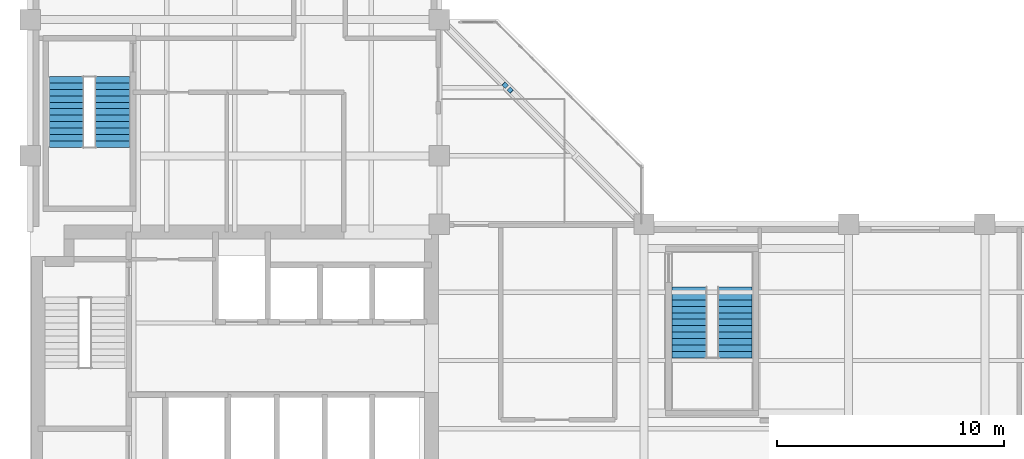
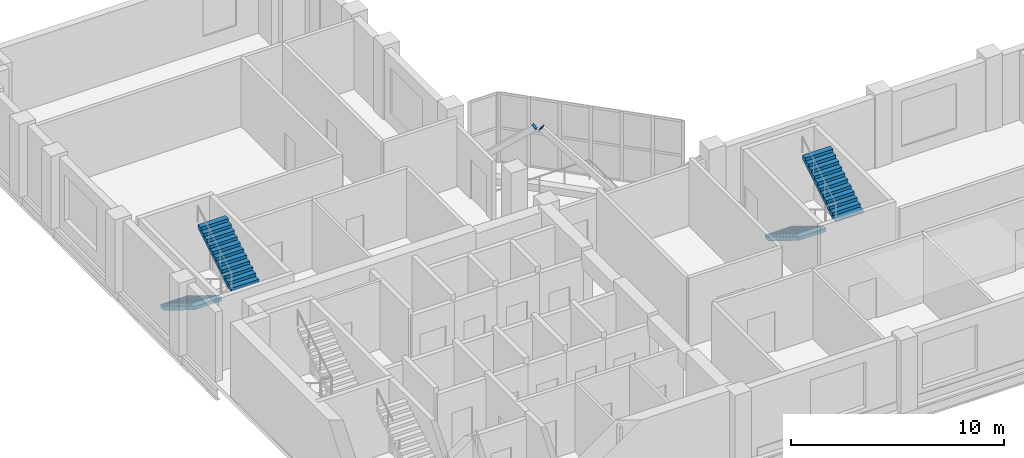
# One storey, part 8 of 9: 4 stair flights, 2 discrete accessories, 2 elements without a shape of their own.
"""IFC4 building model written with IfcOpenShell, lengths in metres."""

from ifc_helpers import new_model, si_unit, direction, frame, origin, origin_2d, place, context, subcontext, project, spatial, polyline, rectangle, outline, extrude, material, material_profile, profile_set, type_object, element, aggregate, save


model = new_model("IFC4")

# Units and contexts
model_context = context("Model", 3, precision=1e-05, world=origin(), true_north=direction((0.0, 1.0)))
body_context = subcontext(model_context, "Body", "Model", "MODEL_VIEW")
ifc_project = project(units=[si_unit("LENGTHUNIT", "METRE"), si_unit("AREAUNIT", "SQUARE_METRE"), si_unit("VOLUMEUNIT", "CUBIC_METRE"), si_unit("PLANEANGLEUNIT", "RADIAN"), si_unit("MASSUNIT", "GRAM", prefix="KILO")], contexts=[model_context])

# Site, building, storey
site_placement = place(None, origin())
site = spatial("IfcSite", under=ifc_project, at=site_placement, CompositionType="ELEMENT")
building_placement = place(site_placement, origin())
building = spatial("IfcBuilding", under=site, at=building_placement, Name="Mawjdan Bourse Tower", CompositionType="ELEMENT")
storey_placement = place(building_placement, frame((0.0, 0.0, 160.199951171875)))
storey = spatial("IfcBuildingStorey", under=building, at=storey_placement, Name="L38", CompositionType="ELEMENT", Elevation=160.199951171875)

# Stair, stair flights
ifc_material_1 = material(Name="Concrete C50/60", Category="concrete")
stair_type_1 = type_object("IfcStairType", Name="STR-CORE-1500", PredefinedType="HALF_TURN_STAIR", material=ifc_material_1)
stair_1_placement = place(storey_placement, origin())
stair_1 = element("IfcStair", 1, at=stair_1_placement, inside=storey, type_object=stair_type_1, Name="L38 Exit Stair 3 (North Wing)", PredefinedType="HALF_TURN_STAIR")
stair_flight_type_1 = type_object("IfcStairFlightType", Name="SFL-RC-1500", PredefinedType="STRAIGHT", material=ifc_material_1)
stair_flight_1_placement = place(storey_placement, frame((7.590087890625, 27.5, 0.0), z_axis=(0.0, 0.0, 1.0), x_axis=(0.0, -1.0, 0.0)))
stair_flight_1 = element("IfcStairFlight", 2, at=stair_flight_1_placement, type_object=stair_flight_type_1, Name="ST3-L38 flight 1", NumberOfRisers=12, NumberOfTreads=11, PredefinedType="STRAIGHT", RiserHeight=0.175, TreadLength=0.285, context=body_context, shape_type="SweptSolid", body=[
    extrude(outline(polyline([(0.0, 0.0), (0.0, 0.175048828125), (0.284912109375, 0.175048828125), (0.284912109375, 0.35009765625), (0.570068359375, 0.35009765625), (0.570068359375, 0.52490234375), (0.85498046875, 0.52490234375), (0.85498046875, 0.699951171875), (1.139892578125, 0.699951171875), (1.139892578125, 0.875), (1.425048828125, 0.875), (1.425048828125, 1.050048828125), (1.7099609375, 1.050048828125), (1.7099609375, 1.22509765625), (1.9951171875, 1.22509765625), (1.9951171875, 1.39990234375), (2.280029296875, 1.39990234375), (2.280029296875, 1.574951171875), (2.56494140625, 1.574951171875), (2.56494140625, 1.75), (2.85009765625, 1.75), (2.85009765625, 1.925048828125), (3.135009765625, 1.925048828125), (3.135009765625, 2.10009765625), (3.135009765625, 1.7373046875), (0.3056640625, 0.0), (0.0, 0.0)])), frame((0.0, 0.75, 0.0), z_axis=(0.0, -1.0, 0.0), x_axis=(1.0, 0.0, 0.0)), (0.0, 0.0, 1.0), 1.5),
])
stair_flight_2_placement = place(storey_placement, frame((9.610107421875, 24.364990234375, 2.10009765625), z_axis=(0.0, 0.0, 1.0), x_axis=(0.0, 1.0, 0.0)))
stair_flight_2 = element("IfcStairFlight", 3, at=stair_flight_2_placement, type_object=stair_flight_type_1, Name="ST3-L38 flight 2", NumberOfRisers=12, NumberOfTreads=11, PredefinedType="STRAIGHT", RiserHeight=0.175, TreadLength=0.285, context=body_context, shape_type="SweptSolid", body=[
    extrude(outline(polyline([(0.0, 0.0), (0.0, 0.175048828125), (0.284912109375, 0.175048828125), (0.284912109375, 0.35009765625), (0.570068359375, 0.35009765625), (0.570068359375, 0.52490234375), (0.85498046875, 0.52490234375), (0.85498046875, 0.699951171875), (1.139892578125, 0.699951171875), (1.139892578125, 0.875), (1.425048828125, 0.875), (1.425048828125, 1.050048828125), (1.7099609375, 1.050048828125), (1.7099609375, 1.22509765625), (1.9951171875, 1.22509765625), (1.9951171875, 1.39990234375), (2.280029296875, 1.39990234375), (2.280029296875, 1.574951171875), (2.56494140625, 1.574951171875), (2.56494140625, 1.75), (2.85009765625, 1.75), (2.85009765625, 1.925048828125), (3.135009765625, 1.925048828125), (3.135009765625, 2.10009765625), (3.135009765625, 1.7373046875), (0.3056640625, 0.0), (0.0, 0.0)])), frame((0.0, 0.75, 0.0), z_axis=(0.0, -1.0, 0.0), x_axis=(1.0, 0.0, 0.0)), (0.0, 0.0, 1.0), 1.5),
])
aggregate(stair_1, [stair_flight_1, stair_flight_2])

ifc_material_2 = material(Name="Structural Steel S355", Category="steel")
stair_type_2 = type_object("IfcStairType", Name="STR-SKY-1500", PredefinedType="HALF_TURN_STAIR", material=ifc_material_2)
stair_2_placement = place(storey_placement, origin())
stair_2 = element("IfcStair", 4, at=stair_2_placement, inside=storey, type_object=stair_type_2, Name="L38 Sky Lobby 2 Feature Stair", PredefinedType="HALF_TURN_STAIR")
stair_flight_type_2 = type_object("IfcStairFlightType", Name="SFL-STL-1800", PredefinedType="STRAIGHT", material=ifc_material_2)
stair_flight_3_placement = place(storey_placement, frame((34.989990234375, 18.239990234375, 0.0), z_axis=(0.0, 0.0, 1.0), x_axis=(0.0, -1.0, 0.0)))
stair_flight_3 = element("IfcStairFlight", 5, at=stair_flight_3_placement, type_object=stair_flight_type_2, Name="ST5B-L38 flight 1", NumberOfRisers=12, NumberOfTreads=11, PredefinedType="STRAIGHT", RiserHeight=0.175, TreadLength=0.285, context=body_context, shape_type="SweptSolid", body=[
    extrude(outline(polyline([(0.0, 0.0), (0.0, 0.175048828125), (0.284912109375, 0.175048828125), (0.284912109375, 0.35009765625), (0.570068359375, 0.35009765625), (0.570068359375, 0.52490234375), (0.85498046875, 0.52490234375), (0.85498046875, 0.699951171875), (1.139892578125, 0.699951171875), (1.139892578125, 0.875), (1.425048828125, 0.875), (1.425048828125, 1.050048828125), (1.7099609375, 1.050048828125), (1.7099609375, 1.22509765625), (1.9951171875, 1.22509765625), (1.9951171875, 1.39990234375), (2.280029296875, 1.39990234375), (2.280029296875, 1.574951171875), (2.56494140625, 1.574951171875), (2.56494140625, 1.75), (2.85009765625, 1.75), (2.85009765625, 1.925048828125), (3.135009765625, 1.925048828125), (3.135009765625, 2.10009765625), (3.135009765625, 1.7373046875), (0.3056640625, 0.0), (0.0, 0.0)])), frame((0.0, 0.75, 0.0), z_axis=(0.0, -1.0, 0.0), x_axis=(1.0, 0.0, 0.0)), (0.0, 0.0, 1.0), 1.5),
])
stair_flight_4_placement = place(storey_placement, frame((37.010009765625, 15.10498046875, 2.10009765625), z_axis=(0.0, 0.0, 1.0), x_axis=(0.0, 1.0, 0.0)))
stair_flight_4 = element("IfcStairFlight", 6, at=stair_flight_4_placement, type_object=stair_flight_type_2, Name="ST5B-L38 flight 2", NumberOfRisers=12, NumberOfTreads=11, PredefinedType="STRAIGHT", RiserHeight=0.175, TreadLength=0.285, context=body_context, shape_type="SweptSolid", body=[
    extrude(outline(polyline([(0.0, 0.0), (0.0, 0.175048828125), (0.284912109375, 0.175048828125), (0.284912109375, 0.35009765625), (0.570068359375, 0.35009765625), (0.570068359375, 0.52490234375), (0.85498046875, 0.52490234375), (0.85498046875, 0.699951171875), (1.139892578125, 0.699951171875), (1.139892578125, 0.875), (1.425048828125, 0.875), (1.425048828125, 1.050048828125), (1.7099609375, 1.050048828125), (1.7099609375, 1.22509765625), (1.9951171875, 1.22509765625), (1.9951171875, 1.39990234375), (2.280029296875, 1.39990234375), (2.280029296875, 1.574951171875), (2.56494140625, 1.574951171875), (2.56494140625, 1.75), (2.85009765625, 1.75), (2.85009765625, 1.925048828125), (3.135009765625, 1.925048828125), (3.135009765625, 2.10009765625), (3.135009765625, 1.7373046875), (0.3056640625, 0.0), (0.0, 0.0)])), frame((0.0, 0.75, 0.0), z_axis=(0.0, -1.0, 0.0), x_axis=(1.0, 0.0, 0.0)), (0.0, 0.0, 1.0), 1.5),
])
aggregate(stair_2, [stair_flight_3, stair_flight_4])

# Discrete accessories
ifc_material_3 = material(Name="Structural Steel S460", Category="steel")
ifc_material_profile = material_profile(ifc_material_3, rectangle(XDim=0.199951171875, YDim=0.300048828125, at=origin_2d()), Name="EPL-HSS300X200X12.5")
ifc_profile_set = profile_set([ifc_material_profile], Name="Structural Steel S460")
discrete_accessory_type = type_object("IfcDiscreteAccessoryType", Name="EPL-HSS300X200X12.5", PredefinedType="NOTDEFINED", material=ifc_profile_set)
for number, where, z_axis, x_axis, name in (
    (7, (26.8798828125, 27.1201171875, 3.550048828125), (0.535750996171, -0.535750996171, 0.652642122609), (0.707106781187, 0.707106781187, 0.0), "L38 Atrium Sky Bridge Truss Apex End Plate 1"),
    (8, (27.1201171875, 26.8798828125, 3.550048828125), (-0.535750996171, 0.535750996171, 0.652642122609), (-0.707106781187, -0.707106781187, 0.0), "L38 Atrium Sky Bridge Truss Apex End Plate 2"),
):
    element("IfcDiscreteAccessory", number, at=place(storey_placement, frame(where, z_axis=z_axis, x_axis=x_axis)), inside=storey, type_object=discrete_accessory_type, Name=name, PredefinedType="NOTDEFINED", context=body_context, shape_type="SweptSolid", body=[
        extrude(rectangle(XDim=0.199951171875, YDim=0.300048828125, at=origin_2d()), origin(), (0.0, 0.0, 1.0), 0.025146484375),
    ])

save(model, "model.ifc")
